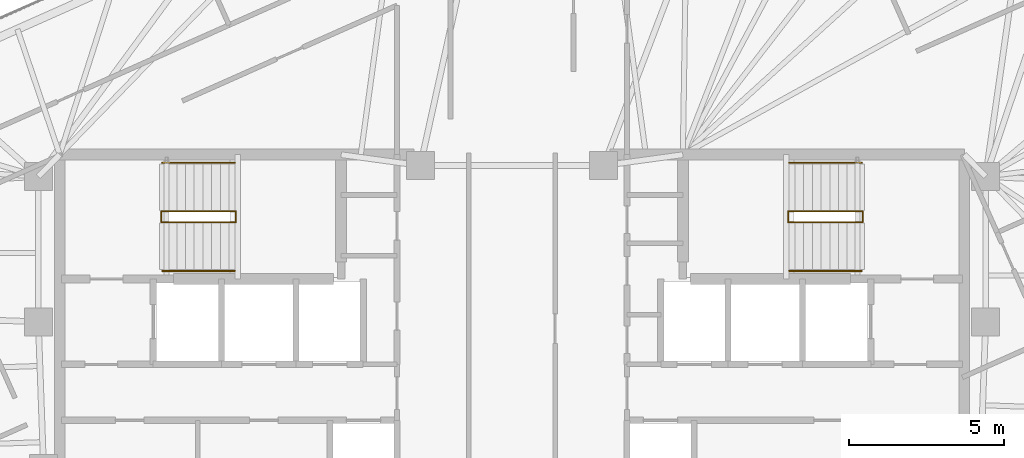
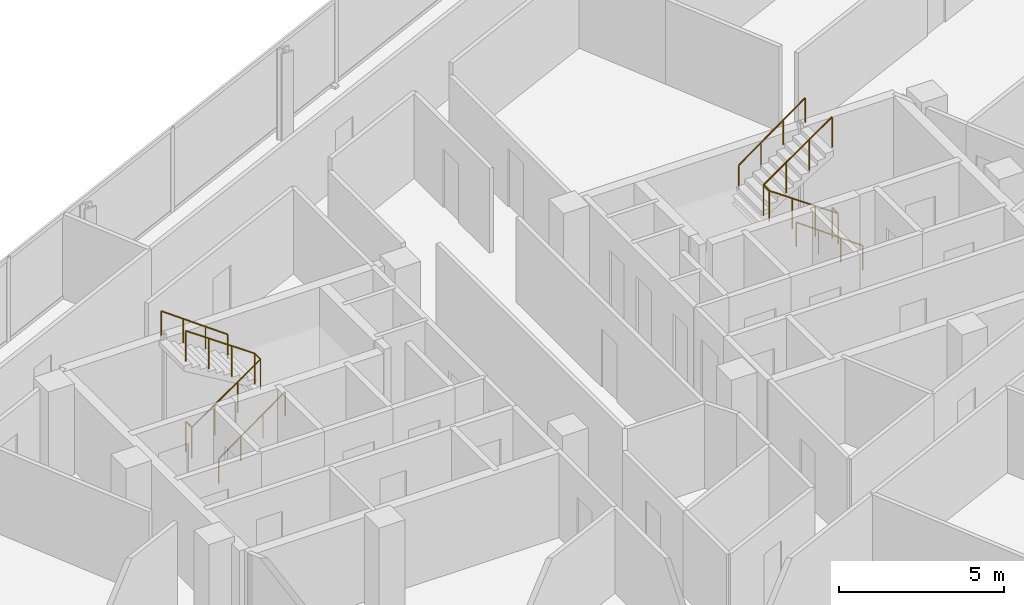
# One storey, part 18 of 18: 6 railings.
"""IFC4 building model written with IfcOpenShell, lengths in metres."""

from ifc_helpers import new_model, si_unit, direction, frame, origin, origin_2d, place, context, subcontext, project, spatial, circle, extrude, material, type_object, element, save


model = new_model("IFC4")

# Units and contexts
model_context = context("Model", 3, precision=1e-05, world=origin(), true_north=direction((0.0, 1.0)))
body_context = subcontext(model_context, "Body", "Model", "MODEL_VIEW")
ifc_project = project(units=[si_unit("LENGTHUNIT", "METRE"), si_unit("AREAUNIT", "SQUARE_METRE"), si_unit("VOLUMEUNIT", "CUBIC_METRE"), si_unit("PLANEANGLEUNIT", "RADIAN"), si_unit("MASSUNIT", "GRAM", prefix="KILO")], contexts=[model_context])

# Site, building, storey
site_placement = place(None, origin())
site = spatial("IfcSite", under=ifc_project, at=site_placement, CompositionType="ELEMENT")
building_placement = place(site_placement, origin())
building = spatial("IfcBuilding", under=site, at=building_placement, Name="Menara Jurai Vektor", CompositionType="ELEMENT")
storey_placement = place(building_placement, frame((0.0, 0.0, 285.25)))
storey = spatial("IfcBuildingStorey", under=building, at=storey_placement, Name="L76", CompositionType="ELEMENT", Elevation=285.25)

# Railings
ifc_material_1 = material(Name="Painted Galvanised Steel Balustrade", Category="steel")
railing_type_1 = type_object("IfcRailingType", Name="RAIL-STAIR-GUARD", PredefinedType="GUARDRAIL", material=ifc_material_1)
railing_1_placement = place(storey_placement, frame((-11.2900390625, 3.780029296875, 0.0)))
element("IfcRailing", 1, at=railing_1_placement, inside=storey, type_object=railing_type_1, Name="ST1 Stair Guardrail 1 L76", PredefinedType="GUARDRAIL", context=body_context, shape_type="SweptSolid", body=[
    extrude(circle(Radius=0.02392578125, at=origin_2d()), frame((0.0, 0.0, 1.1259765625), z_axis=(0.0, -1.0, 0.0), x_axis=(1.0, 0.0, 0.0)), (0.0, 0.0, 1.0), 0.360107421875),
    extrude(circle(Radius=0.02392578125, at=origin_2d()), frame((0.0, -0.360107421875, 1.1259765625), z_axis=(0.820042287322, 0.0, 0.572302932898), x_axis=(0.0, 1.0, 0.0)), (0.0, 0.0, 1.0), 2.9267578125),
    extrude(circle(Radius=0.02392578125, at=origin_2d()), frame((2.400146484375, -0.360107421875, 2.80078125), z_axis=(0.0, 1.0, 0.0), x_axis=(-1.0, 0.0, 0.0)), (0.0, 0.0, 1.0), 0.360107421875),
    extrude(circle(Radius=0.02392578125, at=origin_2d()), frame((2.400146484375, 0.0, 2.80078125), z_axis=(-0.820042287322, 0.0, 0.572302932898), x_axis=(0.0, -1.0, 0.0)), (0.0, 0.0, 1.0), 2.9267578125),
    extrude(circle(Radius=0.02099609375, at=origin_2d()), origin(), (0.0, 0.0, 1.0), 1.101806640625),
    extrude(circle(Radius=0.02099609375, at=origin_2d()), frame((0.0, -0.360107421875, 0.0)), (0.0, 0.0, 1.0), 1.101806640625),
    extrude(circle(Radius=0.02099609375, at=origin_2d()), frame((0.800048828125, -0.360107421875, 0.558349609375)), (0.0, 0.0, 1.0), 1.101806640625),
    extrude(circle(Radius=0.02099609375, at=origin_2d()), frame((1.60009765625, -0.360107421875, 1.11669921875)), (0.0, 0.0, 1.0), 1.101806640625),
    extrude(circle(Radius=0.02099609375, at=origin_2d()), frame((2.400146484375, -0.360107421875, 1.675048828125)), (0.0, 0.0, 1.0), 1.101806640625),
    extrude(circle(Radius=0.02099609375, at=origin_2d()), frame((2.400146484375, 0.0, 1.675048828125)), (0.0, 0.0, 1.0), 1.101806640625),
    extrude(circle(Radius=0.02099609375, at=origin_2d()), frame((1.60009765625, 0.0, 2.2333984375)), (0.0, 0.0, 1.0), 1.101806640625),
    extrude(circle(Radius=0.02099609375, at=origin_2d()), frame((0.800048828125, 0.0, 2.791748046875)), (0.0, 0.0, 1.0), 1.101806640625),
    extrude(circle(Radius=0.02099609375, at=origin_2d()), frame((0.0, 0.0, 3.35009765625)), (0.0, 0.0, 1.0), 1.101806640625),
])
railing_2_placement = place(storey_placement, frame((11.2900390625, 3.780029296875, 0.0)))
element("IfcRailing", 2, at=railing_2_placement, inside=storey, type_object=railing_type_1, Name="ST2 Stair Guardrail 1 L76", PredefinedType="GUARDRAIL", context=body_context, shape_type="SweptSolid", body=[
    extrude(circle(Radius=0.02392578125, at=origin_2d()), frame((0.0, 0.0, 1.1259765625), z_axis=(0.0, -1.0, 0.0), x_axis=(1.0, 0.0, 0.0)), (0.0, 0.0, 1.0), 0.360107421875),
    extrude(circle(Radius=0.02392578125, at=origin_2d()), frame((0.0, -0.360107421875, 1.1259765625), z_axis=(-0.820042287322, 0.0, 0.572302932898), x_axis=(0.0, -1.0, 0.0)), (0.0, 0.0, 1.0), 2.9267578125),
    extrude(circle(Radius=0.02392578125, at=origin_2d()), frame((-2.400146484375, -0.360107421875, 2.80078125), z_axis=(0.0, 1.0, 0.0), x_axis=(-1.0, 0.0, 0.0)), (0.0, 0.0, 1.0), 0.360107421875),
    extrude(circle(Radius=0.02392578125, at=origin_2d()), frame((-2.400146484375, 0.0, 2.80078125), z_axis=(0.820042287322, 0.0, 0.572302932898), x_axis=(0.0, 1.0, 0.0)), (0.0, 0.0, 1.0), 2.9267578125),
    extrude(circle(Radius=0.02099609375, at=origin_2d()), origin(), (0.0, 0.0, 1.0), 1.101806640625),
    extrude(circle(Radius=0.02099609375, at=origin_2d()), frame((0.0, -0.360107421875, 0.0)), (0.0, 0.0, 1.0), 1.101806640625),
    extrude(circle(Radius=0.02099609375, at=origin_2d()), frame((-0.800048828125, -0.360107421875, 0.558349609375)), (0.0, 0.0, 1.0), 1.101806640625),
    extrude(circle(Radius=0.02099609375, at=origin_2d()), frame((-1.60009765625, -0.360107421875, 1.11669921875)), (0.0, 0.0, 1.0), 1.101806640625),
    extrude(circle(Radius=0.02099609375, at=origin_2d()), frame((-2.400146484375, -0.360107421875, 1.675048828125)), (0.0, 0.0, 1.0), 1.101806640625),
    extrude(circle(Radius=0.02099609375, at=origin_2d()), frame((-2.400146484375, 0.0, 1.675048828125)), (0.0, 0.0, 1.0), 1.101806640625),
    extrude(circle(Radius=0.02099609375, at=origin_2d()), frame((-1.60009765625, 0.0, 2.2333984375)), (0.0, 0.0, 1.0), 1.101806640625),
    extrude(circle(Radius=0.02099609375, at=origin_2d()), frame((-0.800048828125, 0.0, 2.791748046875)), (0.0, 0.0, 1.0), 1.101806640625),
    extrude(circle(Radius=0.02099609375, at=origin_2d()), frame((0.0, 0.0, 3.35009765625)), (0.0, 0.0, 1.0), 1.101806640625),
])
ifc_material_2 = material(Name="Brushed Stainless Steel Handrail", Category="steel")
railing_type_2 = type_object("IfcRailingType", Name="RAIL-STAIR-HAND", PredefinedType="HANDRAIL", material=ifc_material_2)
railing_3_placement = place(storey_placement, frame((-11.25, 1.860107421875, 0.0)))
element("IfcRailing", 3, at=railing_3_placement, inside=storey, type_object=railing_type_2, Name="ST1 Stair Handrail 1 L76", PredefinedType="HANDRAIL", context=body_context, shape_type="SweptSolid", body=[
    extrude(circle(Radius=0.02392578125, at=origin_2d()), frame((0.0, 0.0, 0.89599609375), z_axis=(0.810771458067, 0.0, 0.585362830032), x_axis=(0.0, 1.0, 0.0)), (0.0, 0.0, 1.0), 2.861572265625),
    extrude(circle(Radius=0.02099609375, at=origin_2d()), origin(), (0.0, 0.0, 1.0), 0.871826171875),
    extrude(circle(Radius=0.02099609375, at=origin_2d()), frame((0.7734375, 0.0, 0.558349609375)), (0.0, 0.0, 1.0), 0.871826171875),
    extrude(circle(Radius=0.02099609375, at=origin_2d()), frame((1.546630859375, 0.0, 1.11669921875)), (0.0, 0.0, 1.0), 0.871826171875),
    extrude(circle(Radius=0.02099609375, at=origin_2d()), frame((2.320068359375, 0.0, 1.675048828125)), (0.0, 0.0, 1.0), 0.871826171875),
])
for number, where, name in (
    (4, (-8.929931640625, 5.340087890625, 1.675048828125), "ST1 Stair Handrail 2 L76"),
    (5, (11.25, 1.860107421875, 0.0), "ST2 Stair Handrail 1 L76"),
):
    element("IfcRailing", number, at=place(storey_placement, frame(where)), inside=storey, type_object=railing_type_2, Name=name, PredefinedType="HANDRAIL", context=body_context, shape_type="SweptSolid", body=[
        extrude(circle(Radius=0.02392578125, at=origin_2d()), frame((0.0, 0.0, 0.89599609375), z_axis=(-0.810771458067, 0.0, 0.585362830032), x_axis=(0.0, -1.0, 0.0)), (0.0, 0.0, 1.0), 2.861572265625),
        extrude(circle(Radius=0.02099609375, at=origin_2d()), origin(), (0.0, 0.0, 1.0), 0.871826171875),
        extrude(circle(Radius=0.02099609375, at=origin_2d()), frame((-0.7734375, 0.0, 0.558349609375)), (0.0, 0.0, 1.0), 0.871826171875),
        extrude(circle(Radius=0.02099609375, at=origin_2d()), frame((-1.546630859375, 0.0, 1.11669921875)), (0.0, 0.0, 1.0), 0.871826171875),
        extrude(circle(Radius=0.02099609375, at=origin_2d()), frame((-2.320068359375, 0.0, 1.675048828125)), (0.0, 0.0, 1.0), 0.871826171875),
    ])
railing_4_placement = place(storey_placement, frame((8.929931640625, 5.340087890625, 1.675048828125)))
element("IfcRailing", 6, at=railing_4_placement, inside=storey, type_object=railing_type_2, Name="ST2 Stair Handrail 2 L76", PredefinedType="HANDRAIL", context=body_context, shape_type="SweptSolid", body=[
    extrude(circle(Radius=0.02392578125, at=origin_2d()), frame((0.0, 0.0, 0.89599609375), z_axis=(0.810771458067, 0.0, 0.585362830032), x_axis=(0.0, 1.0, 0.0)), (0.0, 0.0, 1.0), 2.861572265625),
    extrude(circle(Radius=0.02099609375, at=origin_2d()), origin(), (0.0, 0.0, 1.0), 0.871826171875),
    extrude(circle(Radius=0.02099609375, at=origin_2d()), frame((0.7734375, 0.0, 0.558349609375)), (0.0, 0.0, 1.0), 0.871826171875),
    extrude(circle(Radius=0.02099609375, at=origin_2d()), frame((1.546630859375, 0.0, 1.11669921875)), (0.0, 0.0, 1.0), 0.871826171875),
    extrude(circle(Radius=0.02099609375, at=origin_2d()), frame((2.320068359375, 0.0, 1.675048828125)), (0.0, 0.0, 1.0), 0.871826171875),
])

save(model, "model.ifc")
